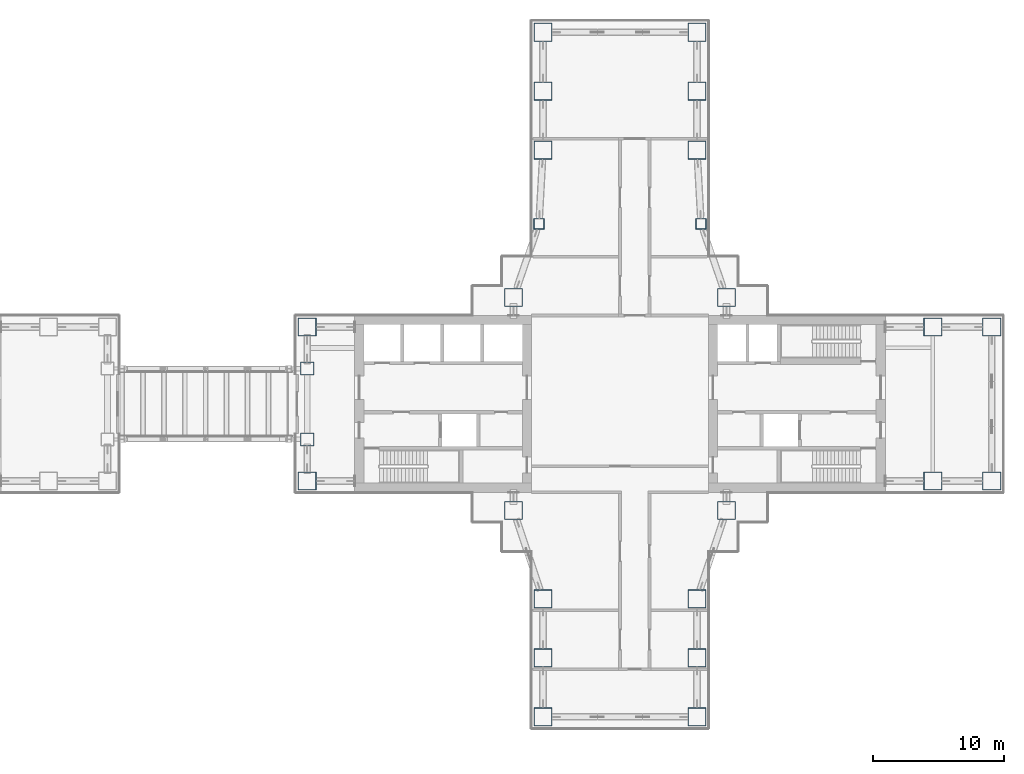
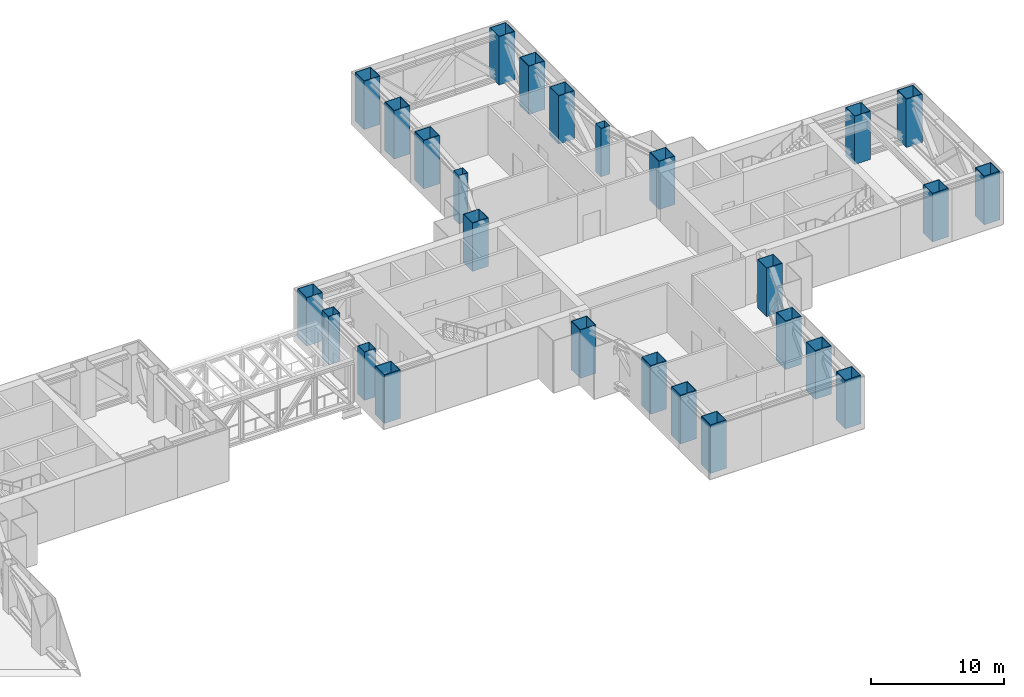
# One storey, part 2 of 23: 26 columns.
"""IFC4 building model written with IfcOpenShell, lengths in metres."""

import ifcopenshell
import ifcopenshell.guid

model = None  # the IFC model being written
_history = None  # IfcOwnerHistory: only IFC2X3 demands one
_inside = {}  # id of a spatial element -> (the spatial element, [elements in it])
_under = {}  # id of a project, library or spatial element -> (it, [spatial elements below it])
_declared = {}  # id of a project -> (the project, [libraries it declares])
_typed = {}  # id of a type object -> (the type object, [elements of that type])
_made_of = {}  # id of a material, layer set ... -> (it, [elements and type objects made of it])


def new_model(schema):
    """Start an empty IFC model of exactly this schema.

    Asked for "IFC4X3", IfcOpenShell would pick the latest addendum, in which some entities
    have other attributes; the version numbers below select the first issue.
    IFC2X3 requires an IfcOwnerHistory on every rooted entity: one is made here for all.
    """
    global model, _history
    if schema == "IFC4X3":
        model = ifcopenshell.file(schema_version=(4, 3, 0, 0))
    else:
        model = ifcopenshell.file(schema=schema)
    _inside.clear()
    _under.clear()
    _declared.clear()
    _typed.clear()
    _made_of.clear()
    _history = None
    if model.schema == "IFC2X3":
        org = make("IfcOrganization", Name="unknown")
        user = make(
            "IfcPersonAndOrganization",
            ThePerson=make("IfcPerson", FamilyName="unknown"),
            TheOrganization=org,
        )
        app = make(
            "IfcApplication",
            ApplicationDeveloper=org,
            Version="unknown",
            ApplicationFullName="unknown",
            ApplicationIdentifier="unknown",
        )
        _history = make(
            "IfcOwnerHistory",
            OwningUser=user,
            OwningApplication=app,
            ChangeAction="ADDED",
            CreationDate=0,
        )
    return model


def make(cls, **values):
    """One entity of the class cls with the attributes given. An attribute that is None is left unset."""
    return model.create_entity(
        cls, **{name: value for name, value in values.items() if value is not None}
    )


def rooted(cls, **values):
    """An entity with a GlobalId (a new one), such as an element, a storey or a relation."""
    return make(cls, GlobalId=ifcopenshell.guid.new(), OwnerHistory=_history, **values)


def si_unit(unit_type, name, prefix=None):
    """IfcSIUnit, for example si_unit("LENGTHUNIT", "METRE", prefix="MILLI")."""
    return make("IfcSIUnit", UnitType=unit_type, Prefix=prefix, Name=name)


def assignment(units):
    """IfcUnitAssignment: the units of a project."""
    return None if units is None else make("IfcUnitAssignment", Units=units)


def point(xyz):
    """IfcCartesianPoint."""
    return None if xyz is None else make("IfcCartesianPoint", Coordinates=xyz)


def direction(xyz):
    """IfcDirection."""
    return None if xyz is None else make("IfcDirection", DirectionRatios=xyz)


def frame(location, z_axis=None, x_axis=None):
    """IfcAxis2Placement3D, a coordinate frame: its origin and axes. An axis left out is left unset."""
    return make(
        "IfcAxis2Placement3D",
        Location=point(location),
        Axis=direction(z_axis),
        RefDirection=direction(x_axis),
    )


def frame_2d(location, x_axis=None):
    """IfcAxis2Placement2D, a coordinate frame in the plane: its origin and x axis."""
    return make(
        "IfcAxis2Placement2D", Location=point(location), RefDirection=direction(x_axis)
    )


def origin():
    """The frame at (0, 0, 0) with its axes left unset."""
    return frame((0.0, 0.0, 0.0))


def origin_2d():
    """The frame at (0, 0) in the plane with its x axis left unset."""
    return frame_2d((0.0, 0.0))


def place(relative_to, where):
    """IfcLocalPlacement: puts the frame where relative to a parent placement (None: the world)."""
    return make(
        "IfcLocalPlacement", PlacementRelTo=relative_to, RelativePlacement=where
    )


def context(
    kind, dimensions, precision=None, world=None, true_north=None, identifier=None
):
    """IfcGeometricRepresentationContext, for example the 3D "Model" context."""
    return make(
        "IfcGeometricRepresentationContext",
        ContextIdentifier=identifier,
        ContextType=kind,
        CoordinateSpaceDimension=dimensions,
        Precision=precision,
        WorldCoordinateSystem=world,
        TrueNorth=true_north,
    )


def subcontext(parent, identifier, kind, view, scale=None):
    """IfcGeometricRepresentationSubContext, for example "Body" below "Model"."""
    return make(
        "IfcGeometricRepresentationSubContext",
        ContextIdentifier=identifier,
        ContextType=kind,
        ParentContext=parent,
        TargetScale=scale,
        TargetView=view,
    )


def project(units=None, contexts=None):
    """IfcProject with its units and contexts."""
    return rooted(
        "IfcProject",
        Name="project",
        RepresentationContexts=contexts,
        UnitsInContext=assignment(units),
    )


def spatial(cls, under=None, at=None, **own):
    """A site, building, storey or space (cls), placed at a placement, below another one or the project."""
    s = rooted(cls, ObjectPlacement=at, **own)
    if under is not None:
        _under.setdefault(under.id(), (under, []))[1].append(s)
    return s


def profile(cls, at=None, kind="AREA", **sizes):
    """A parametric profile (cls). Its sizes go by their IFC names, for example OverallWidth=200.0."""
    return make(cls, ProfileType=kind, Position=at, **sizes)


def hollow_rectangle(**sizes):
    """IfcRectangleHollowProfileDef."""
    return profile("IfcRectangleHollowProfileDef", **sizes)


def extrude(swept, where, along, depth):
    """IfcExtrudedAreaSolid: the profile swept, set in the frame where, extruded along a direction by depth."""
    return make(
        "IfcExtrudedAreaSolid",
        SweptArea=swept,
        Position=where,
        ExtrudedDirection=direction(along),
        Depth=depth,
    )


def shape(context_of_items, identifier, shape_type, items):
    """IfcShapeRepresentation: the items that make up one representation, for example the "Body"."""
    return make(
        "IfcShapeRepresentation",
        ContextOfItems=context_of_items,
        RepresentationIdentifier=identifier,
        RepresentationType=shape_type,
        Items=items,
    )


def material(Name=None, Category=None):
    """IfcMaterial."""
    return make("IfcMaterial", Name=Name, Category=Category)


def material_profile(
    of_material, cross_section, Name=None, Category=None, Priority=None
):
    """IfcMaterialProfile: a cross section and its material."""
    return make(
        "IfcMaterialProfile",
        Name=Name,
        Material=of_material,
        Profile=cross_section,
        Priority=Priority,
        Category=Category,
    )


def profile_set(profiles, Name=None, composite=None):
    """IfcMaterialProfileSet."""
    return make(
        "IfcMaterialProfileSet",
        Name=Name,
        MaterialProfiles=profiles,
        CompositeProfile=composite,
    )


def made_of(thing, what):
    """Note that an element or type object is made of a material, layer set ...; save() writes the relation."""
    if what is not None:
        _made_of.setdefault(what.id(), (what, []))[1].append(thing)
    return thing


def type_object(cls, material=None, **own):
    """A type object (cls), such as IfcWallType, which elements share."""
    return made_of(rooted(cls, **own), material)


def element(
    cls,
    number,
    at=None,
    inside=None,
    cuts=None,
    type_object=None,
    material=None,
    context=None,
    identifier="Body",
    shape_type=None,
    held_by="IfcProductDefinitionShape",
    body=None,
    shapes=None,
    **own,
):
    """One element of the class cls, such as IfcWall. Its Tag is "e" and its number.

    at: its placement. inside: the storey or other place that contains it. cuts: it is an
    opening in that element (IfcRelVoidsElement). A single representation is given by context,
    identifier, shape_type and body (its items); several are given by shapes. held_by: the class
    of the entity that holds the representations. save() writes the other relations.
    """
    e = rooted(cls, Tag="e%d" % number, ObjectPlacement=at, **own)
    if body is not None:
        shapes = [shape(context, identifier, shape_type, body)]
    if shapes is not None:
        e.Representation = make(held_by, Representations=shapes)
    if inside is not None:
        _inside.setdefault(inside.id(), (inside, []))[1].append(e)
    if cuts is not None:
        rooted(
            "IfcRelVoidsElement", RelatingBuildingElement=cuts, RelatedOpeningElement=e
        )
    if type_object is not None:
        _typed.setdefault(type_object.id(), (type_object, []))[1].append(e)
    return made_of(e, material)


def aggregate(whole, parts):
    """IfcRelAggregates: a whole, such as a stair, and the parts it consists of."""
    return rooted("IfcRelAggregates", RelatingObject=whole, RelatedObjects=parts)


def save(model, path):
    """Write the relations noted so far, then the file.

    IfcRelAggregates (storeys below a building ...), IfcRelContainedInSpatialStructure (elements
    in a storey), IfcRelDefinesByType, IfcRelAssociatesMaterial and IfcRelDeclares: one each for
    every whole, place, type object, material and project.
    """
    for whole, parts in _under.values():
        aggregate(whole, parts)
    for where, things in _inside.values():
        rooted(
            "IfcRelContainedInSpatialStructure",
            RelatedElements=things,
            RelatingStructure=where,
        )
    for kind, things in _typed.values():
        rooted("IfcRelDefinesByType", RelatedObjects=things, RelatingType=kind)
    for what, things in _made_of.values():
        rooted("IfcRelAssociatesMaterial", RelatedObjects=things, RelatingMaterial=what)
    for by, libraries in _declared.values():
        rooted("IfcRelDeclares", RelatingContext=by, RelatedDefinitions=libraries)
    model.write(path)


model = new_model("IFC4")

# Units and contexts
model_context = context("Model", 3, precision=1e-05, world=origin(), true_north=direction((0.0, 1.0)))
body_context = subcontext(model_context, "Body", "Model", "MODEL_VIEW")
ifc_project = project(units=[si_unit("LENGTHUNIT", "METRE"), si_unit("AREAUNIT", "SQUARE_METRE"), si_unit("VOLUMEUNIT", "CUBIC_METRE"), si_unit("PLANEANGLEUNIT", "RADIAN"), si_unit("MASSUNIT", "GRAM", prefix="KILO")], contexts=[model_context])

# Site, building, storey
site_placement = place(None, origin())
site = spatial("IfcSite", under=ifc_project, at=site_placement, CompositionType="ELEMENT")
building_placement = place(site_placement, origin())
building = spatial("IfcBuilding", under=site, at=building_placement, Name="Shamsa Quay Exchange Towers", CompositionType="ELEMENT")
storey_placement = place(building_placement, frame((0.0, 0.0, 77.10009765625)))
storey = spatial("IfcBuildingStorey", under=building, at=storey_placement, Name="L17", CompositionType="ELEMENT", Elevation=77.10009765625)

# Columns
ifc_material_1 = material(Name="Concrete-filled steel tube S355 / C80/95", Category="concrete")
ifc_material_profile_1 = material_profile(ifc_material_1, hollow_rectangle(XDim=1.39990234375, YDim=1.39990234375, WallThickness=0.050048828125, at=origin_2d()), Name="CFT 1400x1400x50")
ifc_profile_set_1 = profile_set([ifc_material_profile_1], Name="Concrete-filled steel tube S355 / C80/95")
column_type_1 = type_object("IfcColumnType", Name="Column CFT 1400x1400x50", PredefinedType="COLUMN", material=ifc_profile_set_1)
for number, where, name in (
    (1, (25.625, 8.125, 0.0), "Mega column T2-CM01"),
    (2, (41.875, 8.125, 0.0), "Mega column T2-CM02"),
    (3, (25.625, -8.125, 0.0), "Mega column T2-CM03"),
    (4, (41.875, -8.125, 0.0), "Mega column T2-CM04"),
    (5, (39.625, 19.375, 0.0), "Mega column T2-CM06"),
    (6, (39.625, 23.875, 0.0), "Mega column T2-CM07"),
    (7, (39.625, 28.375, 0.0), "Mega column T2-CM08"),
    (8, (27.875, 19.375, 0.0), "Mega column T2-CM10"),
    (9, (27.875, 23.875, 0.0), "Mega column T2-CM11"),
    (10, (27.875, 28.375, 0.0), "Mega column T2-CM12"),
    (11, (39.625, -14.875, 0.0), "Mega column T2-CM13"),
    (12, (39.625, -19.375, 0.0), "Mega column T2-CM14"),
    (13, (39.625, -23.875, 0.0), "Mega column T2-CM15"),
    (14, (27.875, -14.875, 0.0), "Mega column T2-CM16"),
    (15, (27.875, -19.375, 0.0), "Mega column T2-CM17"),
    (16, (27.875, -23.875, 0.0), "Mega column T2-CM18"),
    (17, (9.875, -5.875, 0.0), "Mega column T2-CM19"),
    (18, (9.875, 5.875, 0.0), "Mega column T2-CM20"),
    (19, (57.625, -5.875, 0.0), "Mega column T2-CM21"),
    (20, (62.125, -5.875, 0.0), "Mega column T2-CM22"),
    (21, (57.625, 5.875, 0.0), "Mega column T2-CM23"),
    (22, (62.125, 5.875, 0.0), "Mega column T2-CM24"),
):
    element("IfcColumn", number, at=place(storey_placement, frame(where)), inside=storey, type_object=column_type_1, Name=name, PredefinedType="COLUMN", context=body_context, shape_type="SweptSolid", body=[
        extrude(hollow_rectangle(XDim=1.39990234375, YDim=1.39990234375, WallThickness=0.050048828125, at=origin_2d()), origin(), (0.0, 0.0, 1.0), 4.449951171875),
    ])
ifc_material_2 = material(Name="Concrete-filled steel tube S355 / C60/75", Category="concrete")
ifc_material_profile_2 = material_profile(ifc_material_2, hollow_rectangle(XDim=0.800048828125, YDim=0.800048828125, WallThickness=0.02490234375, at=origin_2d()), Name="CFT 800x800x25")
ifc_profile_set_2 = profile_set([ifc_material_profile_2], Name="Concrete-filled steel tube S355 / C60/75")
column_type_2 = type_object("IfcColumnType", Name="Column CFT 800x800x25", PredefinedType="COLUMN", material=ifc_profile_set_2)
for number, where, name in (
    (23, (39.9375, 13.75, 0.0), "Perimeter column T2-CP05"),
    (24, (27.5625, 13.75, 0.0), "Perimeter column T2-CP09"),
):
    element("IfcColumn", number, at=place(storey_placement, frame(where)), inside=storey, type_object=column_type_2, Name=name, PredefinedType="COLUMN", context=body_context, shape_type="SweptSolid", body=[
        extrude(hollow_rectangle(XDim=0.800048828125, YDim=0.800048828125, WallThickness=0.02490234375, at=origin_2d()), origin(), (0.0, 0.0, 1.0), 4.449951171875),
    ])
ifc_material_3 = material(Name="Concrete-filled steel tube S355 / C70/85", Category="concrete")
ifc_material_profile_3 = material_profile(ifc_material_3, hollow_rectangle(XDim=1.0, YDim=1.0, WallThickness=0.0400390625, at=origin_2d()), Name="CFT 1000x1000x40")
ifc_profile_set_3 = profile_set([ifc_material_profile_3], Name="Concrete-filled steel tube S355 / C70/85")
column_type_3 = type_object("IfcColumnType", Name="Landing column CFT 1000x1000x40", PredefinedType="COLUMN", material=ifc_profile_set_3)
for number, where, name in (
    (25, (9.875, -2.699951171875, 0.0), "Landing column T2 S"),
    (26, (9.875, 2.699951171875, 0.0), "Landing column T2 N"),
):
    element("IfcColumn", number, at=place(storey_placement, frame(where)), inside=storey, type_object=column_type_3, Name=name, PredefinedType="COLUMN", context=body_context, shape_type="SweptSolid", body=[
        extrude(hollow_rectangle(XDim=1.0, YDim=1.0, WallThickness=0.0400390625, at=origin_2d()), origin(), (0.0, 0.0, 1.0), 4.449951171875),
    ])

save(model, "model.ifc")
